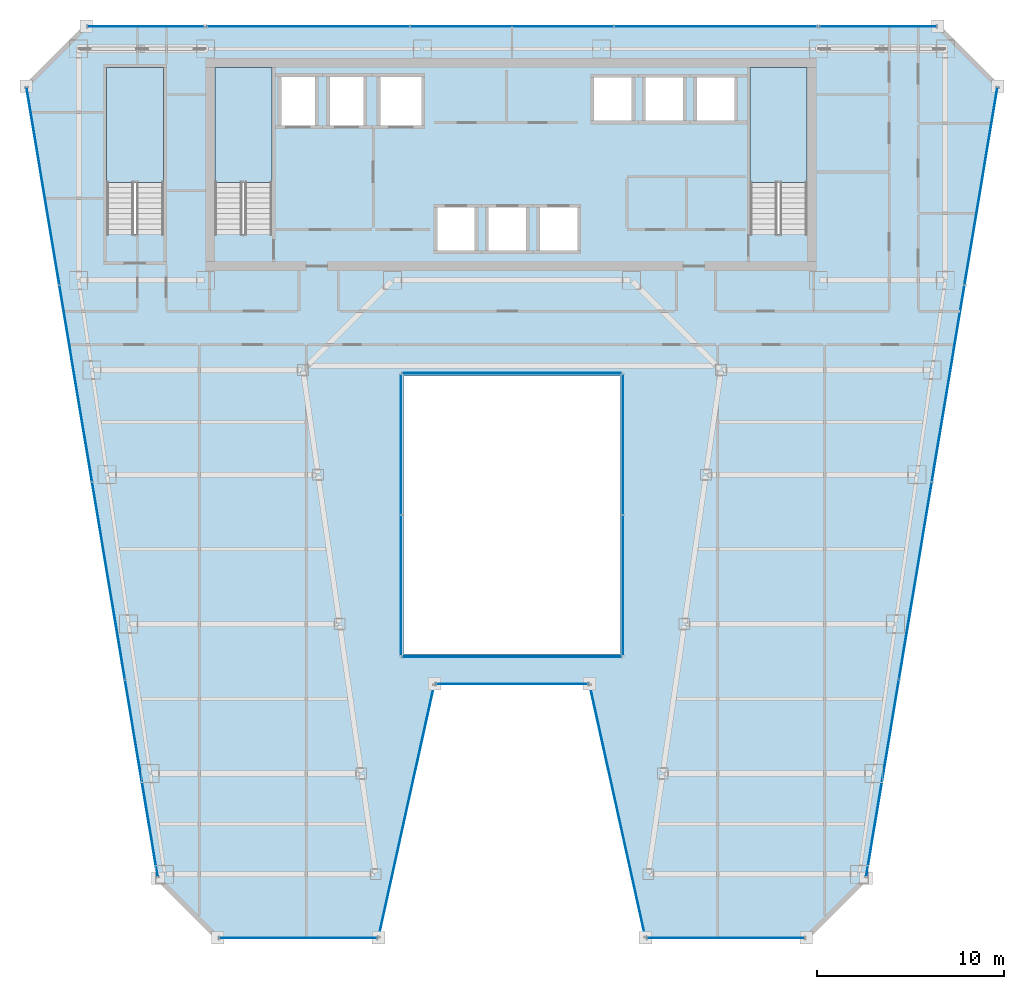
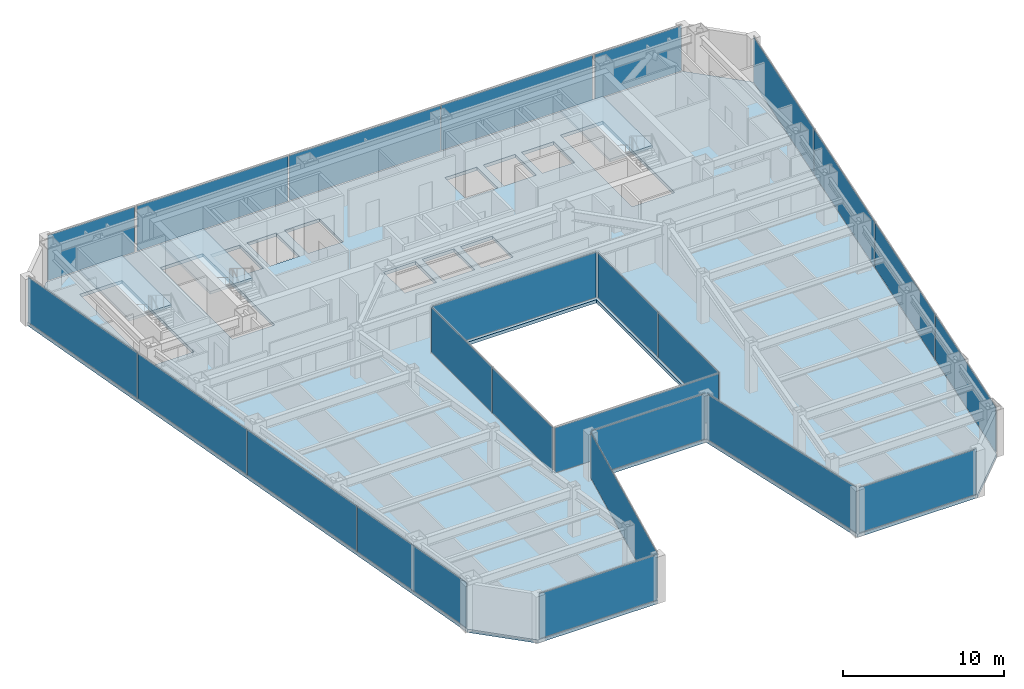
# One storey, part 30 of 38: 24 plates, 4 slabs, 17 elements without a shape of their own.
"""IFC4 building model written with IfcOpenShell, lengths in metres."""

from ifc_helpers import new_model, si_unit, direction, frame, origin, origin_2d, place, context, subcontext, project, spatial, polyline, rectangle, outline, extrude, material, layer, layer_set, type_object, element, aggregate, save


model = new_model("IFC4")

# Units and contexts
model_context = context("Model", 3, precision=1e-05, world=origin(), true_north=direction((0.0, 1.0)))
body_context = subcontext(model_context, "Body", "Model", "MODEL_VIEW")
ifc_project = project(units=[si_unit("LENGTHUNIT", "METRE"), si_unit("AREAUNIT", "SQUARE_METRE"), si_unit("VOLUMEUNIT", "CUBIC_METRE"), si_unit("PLANEANGLEUNIT", "RADIAN"), si_unit("MASSUNIT", "GRAM", prefix="KILO")], contexts=[model_context])

# Site, building, storey
site_placement = place(None, origin())
site = spatial("IfcSite", under=ifc_project, at=site_placement, CompositionType="ELEMENT")
building_placement = place(site_placement, origin())
building = spatial("IfcBuilding", under=site, at=building_placement, Name="Saevonmaru Cultural Tower", CompositionType="ELEMENT")
storey_placement = place(building_placement, frame((0.0, 0.0, 133.39990234375)))
storey = spatial("IfcBuildingStorey", under=building, at=storey_placement, Name="L28", CompositionType="ELEMENT", Elevation=133.39990234375)

# Curtain wall, plate
ifc_material_1 = material(Name="Satin Bronze Anodised Aluminium", Category="aluminium")
curtain_wall_type_1 = type_object("IfcCurtainWallType", Name="CW-ATR-GLZ", PredefinedType="NOTDEFINED", material=ifc_material_1)
curtain_wall_1_placement = place(storey_placement, origin())
curtain_wall_1 = element("IfcCurtainWall", 1, at=curtain_wall_1_placement, inside=storey, type_object=curtain_wall_type_1, Name="L28 Vertical Atrium Glazed Smoke Screen 1", PredefinedType="NOTDEFINED")
ifc_material_2 = material(Name="Fire-Rated Laminated Atrium Glass", Category="glass")
ifc_layer_1 = layer(ifc_material_2, 0.031982421875, Name="Fire-Rated Laminated Atrium Glass")
ifc_layer_set_1 = layer_set([ifc_layer_1], Name="Fire-Rated Laminated Atrium Glass")
plate_type_1 = type_object("IfcPlateType", Name="PN-GLZ-ATR-INT", PredefinedType="CURTAIN_PANEL", material=ifc_layer_set_1)
plate_1_placement = place(storey_placement, frame((30.0, 22.25, 0.067138671875), z_axis=(0.0, 0.0, 1.0), x_axis=(1.0, 0.0, 0.0)))
plate_1 = element("IfcPlate", 2, at=plate_1_placement, type_object=plate_type_1, Name="CW-ATR-L28-1 panel 1.1", PredefinedType="CURTAIN_PANEL", context=body_context, shape_type="SweptSolid", body=[
    extrude(rectangle(XDim=11.7109375, YDim=0.031982421875, at=origin_2d()), origin(), (0.0, 0.0, 1.0), 3.416015625),
])
aggregate(curtain_wall_1, [plate_1])

# Curtain wall, plates
curtain_wall_2_placement = place(storey_placement, origin())
curtain_wall_2 = element("IfcCurtainWall", 3, at=curtain_wall_2_placement, inside=storey, type_object=curtain_wall_type_1, Name="L28 Vertical Atrium Glazed Smoke Screen 2", PredefinedType="NOTDEFINED")
plate_2_placement = place(storey_placement, frame((35.949951171875, 26.074951171875, 0.067138671875), z_axis=(0.0, 0.0, 1.0), x_axis=(0.0, 1.0, 0.0)))
plate_2 = element("IfcPlate", 4, at=plate_2_placement, type_object=plate_type_1, Name="CW-ATR-L28-2 panel 1.1", PredefinedType="CURTAIN_PANEL", context=body_context, shape_type="SweptSolid", body=[
    extrude(rectangle(XDim=7.4609375, YDim=0.031982421875, at=origin_2d()), origin(), (0.0, 0.0, 1.0), 3.416015625),
])
plate_3_placement = place(storey_placement, frame((35.949951171875, 33.60498046875, 0.067138671875), z_axis=(0.0, 0.0, 1.0), x_axis=(0.0, 1.0, 0.0)))
plate_3 = element("IfcPlate", 5, at=plate_3_placement, type_object=plate_type_1, Name="CW-ATR-L28-2 panel 2.1", PredefinedType="CURTAIN_PANEL", context=body_context, shape_type="SweptSolid", body=[
    extrude(rectangle(XDim=7.4609375, YDim=0.031982421875, at=origin_2d()), origin(), (0.0, 0.0, 1.0), 3.416015625),
])
aggregate(curtain_wall_2, [plate_2, plate_3])

# Curtain wall, plate
curtain_wall_3_placement = place(storey_placement, origin())
curtain_wall_3 = element("IfcCurtainWall", 6, at=curtain_wall_3_placement, inside=storey, type_object=curtain_wall_type_1, Name="L28 Vertical Atrium Glazed Smoke Screen 3", PredefinedType="NOTDEFINED")
plate_4_placement = place(storey_placement, frame((30.0, 37.429931640625, 0.067138671875), z_axis=(0.0, 0.0, 1.0), x_axis=(-1.0, 0.0, 0.0)))
plate_4 = element("IfcPlate", 7, at=plate_4_placement, type_object=plate_type_1, Name="CW-ATR-L28-3 panel 1.1", PredefinedType="CURTAIN_PANEL", context=body_context, shape_type="SweptSolid", body=[
    extrude(rectangle(XDim=11.7109375, YDim=0.031982421875, at=origin_2d()), origin(), (0.0, 0.0, 1.0), 3.416015625),
])
aggregate(curtain_wall_3, [plate_4])

# Curtain wall, plates
curtain_wall_4_placement = place(storey_placement, origin())
curtain_wall_4 = element("IfcCurtainWall", 8, at=curtain_wall_4_placement, inside=storey, type_object=curtain_wall_type_1, Name="L28 Vertical Atrium Glazed Smoke Screen 4", PredefinedType="NOTDEFINED")
plate_5_placement = place(storey_placement, frame((24.050048828125, 33.60498046875, 0.067138671875), z_axis=(0.0, 0.0, 1.0), x_axis=(0.0, -1.0, 0.0)))
plate_5 = element("IfcPlate", 9, at=plate_5_placement, type_object=plate_type_1, Name="CW-ATR-L28-4 panel 1.1", PredefinedType="CURTAIN_PANEL", context=body_context, shape_type="SweptSolid", body=[
    extrude(rectangle(XDim=7.4609375, YDim=0.031982421875, at=origin_2d()), origin(), (0.0, 0.0, 1.0), 3.416015625),
])
plate_6_placement = place(storey_placement, frame((24.050048828125, 26.074951171875, 0.067138671875), z_axis=(0.0, 0.0, 1.0), x_axis=(0.0, -1.0, 0.0)))
plate_6 = element("IfcPlate", 10, at=plate_6_placement, type_object=plate_type_1, Name="CW-ATR-L28-4 panel 2.1", PredefinedType="CURTAIN_PANEL", context=body_context, shape_type="SweptSolid", body=[
    extrude(rectangle(XDim=7.4609375, YDim=0.031982421875, at=origin_2d()), origin(), (0.0, 0.0, 1.0), 3.416015625),
])
aggregate(curtain_wall_4, [plate_5, plate_6])

# Curtain wall, plate
curtain_wall_type_2 = type_object("IfcCurtainWallType", Name="CW-TYP-A", PredefinedType="NOTDEFINED", material=ifc_material_1)
curtain_wall_5_placement = place(storey_placement, origin())
curtain_wall_5 = element("IfcCurtainWall", 11, at=curtain_wall_5_placement, inside=storey, type_object=curtain_wall_type_2, Name="L28 Unitised Curtain Wall E2", PredefinedType="NOTDEFINED")
ifc_material_3 = material(Name="Triple Silver Low-E Insulating Glass", Category="glass")
ifc_layer_2 = layer(ifc_material_3, 0.035888671875, Name="Triple Silver Low-E Insulating Glass")
ifc_layer_set_2 = layer_set([ifc_layer_2], Name="Triple Silver Low-E Insulating Glass")
plate_type_2 = type_object("IfcPlateType", Name="PN-GLZ-IGU", PredefinedType="CURTAIN_PANEL", material=ifc_layer_set_2)
plate_7_placement = place(storey_placement, frame((18.548828125, 7.199951171875, 0.067138671875), z_axis=(0.0, 0.0, 1.0), x_axis=(1.0, 0.0, 0.0)))
plate_7 = element("IfcPlate", 12, at=plate_7_placement, type_object=plate_type_2, Name="CW-TW-L28-E2 panel 1.1", PredefinedType="CURTAIN_PANEL", context=body_context, shape_type="SweptSolid", body=[
    extrude(rectangle(XDim=8.410888671875, YDim=0.035888671875, at=origin_2d()), origin(), (0.0, 0.0, 1.0), 3.416015625),
])
aggregate(curtain_wall_5, [plate_7])

curtain_wall_6_placement = place(storey_placement, origin())
curtain_wall_6 = element("IfcCurtainWall", 13, at=curtain_wall_6_placement, inside=storey, type_object=curtain_wall_type_2, Name="L28 Unitised Curtain Wall E3", PredefinedType="NOTDEFINED")
plate_8_placement = place(storey_placement, frame((24.348876953125, 14.0, 0.067138671875), z_axis=(0.0, 0.0, 1.0), x_axis=(0.215413319953, 0.976522965212, 0.0)))
plate_8 = element("IfcPlate", 14, at=plate_8_placement, type_object=plate_type_2, Name="CW-TW-L28-E3 panel 1.1", PredefinedType="CURTAIN_PANEL", context=body_context, shape_type="SweptSolid", body=[
    extrude(rectangle(XDim=13.738037109375, YDim=0.035888671875, at=origin_2d()), origin(), (0.0, 0.0, 1.0), 3.416015625),
])
aggregate(curtain_wall_6, [plate_8])

curtain_wall_7_placement = place(storey_placement, origin())
curtain_wall_7 = element("IfcCurtainWall", 15, at=curtain_wall_7_placement, inside=storey, type_object=curtain_wall_type_2, Name="L28 Unitised Curtain Wall E4", PredefinedType="NOTDEFINED")
plate_9_placement = place(storey_placement, frame((30.0, 20.800048828125, 0.067138671875), z_axis=(0.0, 0.0, 1.0), x_axis=(1.0, 0.0, 0.0)))
plate_9 = element("IfcPlate", 16, at=plate_9_placement, type_object=plate_type_2, Name="CW-TW-L28-E4 panel 1.1", PredefinedType="CURTAIN_PANEL", context=body_context, shape_type="SweptSolid", body=[
    extrude(rectangle(XDim=8.11328125, YDim=0.035888671875, at=origin_2d()), origin(), (0.0, 0.0, 1.0), 3.416015625),
])
aggregate(curtain_wall_7, [plate_9])

curtain_wall_8_placement = place(storey_placement, origin())
curtain_wall_8 = element("IfcCurtainWall", 17, at=curtain_wall_8_placement, inside=storey, type_object=curtain_wall_type_2, Name="L28 Unitised Curtain Wall E5", PredefinedType="NOTDEFINED")
plate_10_placement = place(storey_placement, frame((35.651123046875, 14.0, 0.067138671875), z_axis=(0.0, 0.0, 1.0), x_axis=(0.215413319953, -0.976522965212, 0.0)))
plate_10 = element("IfcPlate", 18, at=plate_10_placement, type_object=plate_type_2, Name="CW-TW-L28-E5 panel 1.1", PredefinedType="CURTAIN_PANEL", context=body_context, shape_type="SweptSolid", body=[
    extrude(rectangle(XDim=13.738037109375, YDim=0.035888671875, at=origin_2d()), origin(), (0.0, 0.0, 1.0), 3.416015625),
])
aggregate(curtain_wall_8, [plate_10])

curtain_wall_9_placement = place(storey_placement, origin())
curtain_wall_9 = element("IfcCurtainWall", 19, at=curtain_wall_9_placement, inside=storey, type_object=curtain_wall_type_2, Name="L28 Unitised Curtain Wall E6", PredefinedType="NOTDEFINED")
plate_11_placement = place(storey_placement, frame((41.451171875, 7.199951171875, 0.067138671875), z_axis=(0.0, 0.0, 1.0), x_axis=(1.0, 0.0, 0.0)))
plate_11 = element("IfcPlate", 20, at=plate_11_placement, type_object=plate_type_2, Name="CW-TW-L28-E6 panel 1.1", PredefinedType="CURTAIN_PANEL", context=body_context, shape_type="SweptSolid", body=[
    extrude(rectangle(XDim=8.410888671875, YDim=0.035888671875, at=origin_2d()), origin(), (0.0, 0.0, 1.0), 3.416015625),
])
aggregate(curtain_wall_9, [plate_11])

# Curtain wall, plates
curtain_wall_10_placement = place(storey_placement, origin())
curtain_wall_10 = element("IfcCurtainWall", 21, at=curtain_wall_10_placement, inside=storey, type_object=curtain_wall_type_2, Name="L28 Unitised Curtain Wall E8", PredefinedType="NOTDEFINED")
plate_12_placement = place(storey_placement, frame((49.839599609375, 15.744384765625, 0.067138671875), z_axis=(0.0, 0.0, 1.0), x_axis=(0.163998702345, 0.986460554523, 0.0)))
plate_12 = element("IfcPlate", 22, at=plate_12_placement, type_object=plate_type_2, Name="CW-TW-L28-E8 panel 1.1", PredefinedType="CURTAIN_PANEL", context=body_context, shape_type="SweptSolid", body=[
    extrude(rectangle(XDim=10.646484375, YDim=0.035888671875, at=origin_2d()), origin(), (0.0, 0.0, 1.0), 3.416015625),
])
plate_13_placement = place(storey_placement, frame((51.596923828125, 26.314697265625, 0.067138671875), z_axis=(0.0, 0.0, 1.0), x_axis=(0.163998702345, 0.986460554523, 0.0)))
plate_13 = element("IfcPlate", 23, at=plate_13_placement, type_object=plate_type_2, Name="CW-TW-L28-E8 panel 2.1", PredefinedType="CURTAIN_PANEL", context=body_context, shape_type="SweptSolid", body=[
    extrude(rectangle(XDim=10.646484375, YDim=0.035888671875, at=origin_2d()), origin(), (0.0, 0.0, 1.0), 3.416015625),
])
plate_14_placement = place(storey_placement, frame((53.354248046875, 36.88525390625, 0.067138671875), z_axis=(0.0, 0.0, 1.0), x_axis=(0.163998702345, 0.986460554523, 0.0)))
plate_14 = element("IfcPlate", 24, at=plate_14_placement, type_object=plate_type_2, Name="CW-TW-L28-E8 panel 3.1", PredefinedType="CURTAIN_PANEL", context=body_context, shape_type="SweptSolid", body=[
    extrude(rectangle(XDim=10.646484375, YDim=0.035888671875, at=origin_2d()), origin(), (0.0, 0.0, 1.0), 3.416015625),
])
plate_15_placement = place(storey_placement, frame((55.111572265625, 47.45556640625, 0.067138671875), z_axis=(0.0, 0.0, 1.0), x_axis=(0.163998702345, 0.986460554523, 0.0)))
plate_15 = element("IfcPlate", 25, at=plate_15_placement, type_object=plate_type_2, Name="CW-TW-L28-E8 panel 4.1", PredefinedType="CURTAIN_PANEL", context=body_context, shape_type="SweptSolid", body=[
    extrude(rectangle(XDim=10.646484375, YDim=0.035888671875, at=origin_2d()), origin(), (0.0, 0.0, 1.0), 3.416015625),
])
aggregate(curtain_wall_10, [plate_12, plate_13, plate_14, plate_15])

curtain_wall_11_placement = place(storey_placement, origin())
curtain_wall_11 = element("IfcCurtainWall", 26, at=curtain_wall_11_placement, inside=storey, type_object=curtain_wall_type_2, Name="L28 North Spine Unitised Curtain Wall E10B", PredefinedType="NOTDEFINED")
plate_16_placement = place(storey_placement, frame((40.893310546875, 56.0, 0.067138671875), z_axis=(0.0, 0.0, 1.0), x_axis=(-1.0, 0.0, 0.0)))
plate_16 = element("IfcPlate", 27, at=plate_16_placement, type_object=plate_type_2, Name="CW-TW-L28-E10B panel 1.1", PredefinedType="CURTAIN_PANEL", context=body_context, shape_type="SweptSolid", body=[
    extrude(rectangle(XDim=10.82421875, YDim=0.035888671875, at=origin_2d()), origin(), (0.0, 0.0, 1.0), 3.416015625),
])
plate_17_placement = place(storey_placement, frame((30.0, 56.0, 0.067138671875), z_axis=(0.0, 0.0, 1.0), x_axis=(-1.0, 0.0, 0.0)))
plate_17 = element("IfcPlate", 28, at=plate_17_placement, type_object=plate_type_2, Name="CW-TW-L28-E10B panel 2.1", PredefinedType="CURTAIN_PANEL", context=body_context, shape_type="SweptSolid", body=[
    extrude(rectangle(XDim=10.82421875, YDim=0.035888671875, at=origin_2d()), origin(), (0.0, 0.0, 1.0), 3.416015625),
])
plate_18_placement = place(storey_placement, frame((19.106689453125, 56.0, 0.067138671875), z_axis=(0.0, 0.0, 1.0), x_axis=(-1.0, 0.0, 0.0)))
plate_18 = element("IfcPlate", 29, at=plate_18_placement, type_object=plate_type_2, Name="CW-TW-L28-E10B panel 3.1", PredefinedType="CURTAIN_PANEL", context=body_context, shape_type="SweptSolid", body=[
    extrude(rectangle(XDim=10.82421875, YDim=0.035888671875, at=origin_2d()), origin(), (0.0, 0.0, 1.0), 3.416015625),
])
aggregate(curtain_wall_11, [plate_16, plate_17, plate_18])

curtain_wall_12_placement = place(storey_placement, origin())
curtain_wall_12 = element("IfcCurtainWall", 30, at=curtain_wall_12_placement, inside=storey, type_object=curtain_wall_type_2, Name="L28 Unitised Curtain Wall E12", PredefinedType="NOTDEFINED")
plate_19_placement = place(storey_placement, frame((4.888427734375, 47.45556640625, 0.067138671875), z_axis=(0.0, 0.0, 1.0), x_axis=(0.163998702345, -0.986460554523, 0.0)))
plate_19 = element("IfcPlate", 31, at=plate_19_placement, type_object=plate_type_2, Name="CW-TW-L28-E12 panel 1.1", PredefinedType="CURTAIN_PANEL", context=body_context, shape_type="SweptSolid", body=[
    extrude(rectangle(XDim=10.646484375, YDim=0.035888671875, at=origin_2d()), origin(), (0.0, 0.0, 1.0), 3.416015625),
])
plate_20_placement = place(storey_placement, frame((6.645751953125, 36.88525390625, 0.067138671875), z_axis=(0.0, 0.0, 1.0), x_axis=(0.163998702345, -0.986460554523, 0.0)))
plate_20 = element("IfcPlate", 32, at=plate_20_placement, type_object=plate_type_2, Name="CW-TW-L28-E12 panel 2.1", PredefinedType="CURTAIN_PANEL", context=body_context, shape_type="SweptSolid", body=[
    extrude(rectangle(XDim=10.646484375, YDim=0.035888671875, at=origin_2d()), origin(), (0.0, 0.0, 1.0), 3.416015625),
])
plate_21_placement = place(storey_placement, frame((8.403076171875, 26.314697265625, 0.067138671875), z_axis=(0.0, 0.0, 1.0), x_axis=(0.163998702345, -0.986460554523, 0.0)))
plate_21 = element("IfcPlate", 33, at=plate_21_placement, type_object=plate_type_2, Name="CW-TW-L28-E12 panel 3.1", PredefinedType="CURTAIN_PANEL", context=body_context, shape_type="SweptSolid", body=[
    extrude(rectangle(XDim=10.646484375, YDim=0.035888671875, at=origin_2d()), origin(), (0.0, 0.0, 1.0), 3.416015625),
])
plate_22_placement = place(storey_placement, frame((10.160400390625, 15.744384765625, 0.067138671875), z_axis=(0.0, 0.0, 1.0), x_axis=(0.163998702345, -0.986460554523, 0.0)))
plate_22 = element("IfcPlate", 34, at=plate_22_placement, type_object=plate_type_2, Name="CW-TW-L28-E12 panel 4.1", PredefinedType="CURTAIN_PANEL", context=body_context, shape_type="SweptSolid", body=[
    extrude(rectangle(XDim=10.646484375, YDim=0.035888671875, at=origin_2d()), origin(), (0.0, 0.0, 1.0), 3.416015625),
])
aggregate(curtain_wall_12, [plate_19, plate_20, plate_21, plate_22])

# Curtain wall, plate
curtain_wall_13_placement = place(storey_placement, origin())
curtain_wall_13 = element("IfcCurtainWall", 35, at=curtain_wall_13_placement, inside=storey, type_object=curtain_wall_type_2, Name="L28 East Braced Bay Spandrel Curtain Wall E10A", PredefinedType="NOTDEFINED")
ifc_material_4 = material(Name="Insulated Satin Bronze Aluminium Spandrel Panel", Category="aluminium")
ifc_layer_3 = layer(ifc_material_4, 0.0400390625, Name="Insulated Satin Bronze Aluminium Spandrel Panel")
ifc_layer_set_3 = layer_set([ifc_layer_3], Name="Insulated Satin Bronze Aluminium Spandrel Panel")
plate_type_3 = type_object("IfcPlateType", Name="PN-SPANDREL-BRONZE", PredefinedType="CURTAIN_PANEL", material=ifc_layer_set_3)
plate_23_placement = place(storey_placement, frame((49.60009765625, 56.0, 0.067138671875), z_axis=(0.0, 0.0, 1.0), x_axis=(-1.0, 0.0, 0.0)))
plate_23 = element("IfcPlate", 36, at=plate_23_placement, type_object=plate_type_3, Name="CW-TW-L28-E10A panel 1.1", PredefinedType="CURTAIN_PANEL", context=body_context, shape_type="SweptSolid", body=[
    extrude(rectangle(XDim=6.2109375, YDim=0.035888671875, at=origin_2d()), origin(), (0.0, 0.0, 1.0), 3.416015625),
])
aggregate(curtain_wall_13, [plate_23])

curtain_wall_14_placement = place(storey_placement, origin())
curtain_wall_14 = element("IfcCurtainWall", 37, at=curtain_wall_14_placement, inside=storey, type_object=curtain_wall_type_2, Name="L28 West Braced Bay Spandrel Curtain Wall E10C", PredefinedType="NOTDEFINED")
plate_24_placement = place(storey_placement, frame((10.39990234375, 56.0, 0.067138671875), z_axis=(0.0, 0.0, 1.0), x_axis=(-1.0, 0.0, 0.0)))
plate_24 = element("IfcPlate", 38, at=plate_24_placement, type_object=plate_type_3, Name="CW-TW-L28-E10C panel 1.1", PredefinedType="CURTAIN_PANEL", context=body_context, shape_type="SweptSolid", body=[
    extrude(rectangle(XDim=6.2109375, YDim=0.035888671875, at=origin_2d()), origin(), (0.0, 0.0, 1.0), 3.416015625),
])
aggregate(curtain_wall_14, [plate_24])

# Slab
ifc_material_5 = material(Name="Concrete C40/50", Category="concrete")
ifc_layer_4 = layer(ifc_material_5, 0.25, Name="Concrete C40/50")
ifc_layer_set_4 = layer_set([ifc_layer_4], Name="Concrete C40/50")
slab_type_1 = type_object("IfcSlabType", Name="SL-FLR-250", PredefinedType="FLOOR", material=ifc_layer_set_4)
slab_1_placement = place(storey_placement, frame((0.0, 0.0, -0.25)))
element("IfcSlab", 39, at=slab_1_placement, inside=storey, type_object=slab_type_1, Name="L28 Tower Structural Floor Slab", PredefinedType="FLOOR", context=body_context, shape_type="SweptSolid", body=[
    extrude(outline(polyline([(11.048828125, 10.39990234375), (14.248779296875, 7.199951171875), (22.848876953125, 7.199951171875), (25.848876953125, 20.800048828125), (34.151123046875, 20.800048828125), (37.151123046875, 7.199951171875), (45.751220703125, 7.199951171875), (48.951171875, 10.39990234375), (56.0, 52.800048828125), (52.800048828125, 56.0), (7.199951171875, 56.0), (4.0, 52.800048828125), (11.048828125, 10.39990234375)]), holes=[polyline([(45.800048828125, 44.875), (42.75, 44.875), (42.75, 53.800048828125), (45.800048828125, 53.800048828125), (45.800048828125, 44.875)]), polyline([(39.75, 50.800048828125), (39.75, 53.39990234375), (42.050048828125, 53.39990234375), (42.050048828125, 50.800048828125), (39.75, 50.800048828125)]), polyline([(37.0, 50.800048828125), (37.0, 53.39990234375), (39.300048828125, 53.39990234375), (39.300048828125, 50.800048828125), (37.0, 50.800048828125)]), polyline([(34.25, 50.800048828125), (34.25, 53.39990234375), (36.550048828125, 53.39990234375), (36.550048828125, 50.800048828125), (34.25, 50.800048828125)]), polyline([(24.199951171875, 22.39990234375), (24.199951171875, 37.280029296875), (35.800048828125, 37.280029296875), (35.800048828125, 22.39990234375), (24.199951171875, 22.39990234375)]), polyline([(31.35009765625, 43.85009765625), (31.35009765625, 46.449951171875), (33.64990234375, 46.449951171875), (33.64990234375, 43.85009765625), (31.35009765625, 43.85009765625)]), polyline([(28.60009765625, 43.85009765625), (28.60009765625, 46.449951171875), (30.89990234375, 46.449951171875), (30.89990234375, 43.85009765625), (28.60009765625, 43.85009765625)]), polyline([(28.14990234375, 43.85009765625), (25.85009765625, 43.85009765625), (25.85009765625, 46.449951171875), (28.14990234375, 46.449951171875), (28.14990234375, 43.85009765625)]), polyline([(25.300048828125, 50.550048828125), (22.800048828125, 50.550048828125), (22.800048828125, 53.449951171875), (25.300048828125, 53.449951171875), (25.300048828125, 50.550048828125)]), polyline([(20.10009765625, 50.550048828125), (20.10009765625, 53.449951171875), (22.199951171875, 53.449951171875), (22.199951171875, 50.550048828125), (20.10009765625, 50.550048828125)]), polyline([(17.5, 50.550048828125), (17.5, 53.449951171875), (19.60009765625, 53.449951171875), (19.60009765625, 50.550048828125), (17.5, 50.550048828125)]), polyline([(17.14990234375, 53.800048828125), (17.14990234375, 44.875), (14.10009765625, 44.875), (14.10009765625, 53.800048828125), (17.14990234375, 53.800048828125)]), polyline([(11.35009765625, 44.875), (8.300048828125, 44.875), (8.300048828125, 53.800048828125), (11.35009765625, 53.800048828125), (11.35009765625, 44.875)])]), origin(), (0.0, 0.0, 1.0), 0.25),
])

# Stair, slab
stair_type = type_object("IfcStairType", Name="STR-DOGLEG-RC", PredefinedType="HALF_TURN_STAIR", material=ifc_material_5)
stair_1_placement = place(storey_placement, origin())
stair_1 = element("IfcStair", 40, at=stair_1_placement, inside=storey, type_object=stair_type, Name="L28 Protected exit stair ST-1", PredefinedType="HALF_TURN_STAIR")
ifc_layer_5 = layer(ifc_material_5, 0.199951171875, Name="Concrete C40/50")
ifc_layer_set_5 = layer_set([ifc_layer_5], Name="Concrete C40/50")
slab_type_2 = type_object("IfcSlabType", Name="SL-STAIR-LANDING", PredefinedType="LANDING", material=ifc_layer_set_5)
slab_2_placement = place(storey_placement, frame((0.0, 0.0, 1.7001953125)))
slab_2 = element("IfcSlab", 41, at=slab_2_placement, type_object=slab_type_2, Name="ST-1-L28 landing 1", PredefinedType="LANDING", context=body_context, shape_type="SweptSolid", body=[
    extrude(outline(polyline([(17.14990234375, 47.64990234375), (17.14990234375, 53.800048828125), (14.10009765625, 53.800048828125), (14.10009765625, 47.64990234375), (17.14990234375, 47.64990234375)])), origin(), (0.0, 0.0, 1.0), 0.199951171875),
])
aggregate(stair_1, [slab_2])

stair_2_placement = place(storey_placement, origin())
stair_2 = element("IfcStair", 42, at=stair_2_placement, inside=storey, type_object=stair_type, Name="L28 Protected exit stair ST-2", PredefinedType="HALF_TURN_STAIR")
slab_3_placement = place(storey_placement, frame((0.0, 0.0, 1.7001953125)))
slab_3 = element("IfcSlab", 43, at=slab_3_placement, type_object=slab_type_2, Name="ST-2-L28 landing 1", PredefinedType="LANDING", context=body_context, shape_type="SweptSolid", body=[
    extrude(outline(polyline([(45.800048828125, 47.64990234375), (45.800048828125, 53.800048828125), (42.75, 53.800048828125), (42.75, 47.64990234375), (45.800048828125, 47.64990234375)])), origin(), (0.0, 0.0, 1.0), 0.199951171875),
])
aggregate(stair_2, [slab_3])

stair_3_placement = place(storey_placement, origin())
stair_3 = element("IfcStair", 44, at=stair_3_placement, inside=storey, type_object=stair_type, Name="L28 Protected exit stair ST-3", PredefinedType="HALF_TURN_STAIR")
slab_4_placement = place(storey_placement, frame((0.0, 0.0, 1.7001953125)))
slab_4 = element("IfcSlab", 45, at=slab_4_placement, type_object=slab_type_2, Name="ST-3-L28 landing 1", PredefinedType="LANDING", context=body_context, shape_type="SweptSolid", body=[
    extrude(outline(polyline([(11.35009765625, 47.64990234375), (11.35009765625, 53.800048828125), (8.300048828125, 53.800048828125), (8.300048828125, 47.64990234375), (11.35009765625, 47.64990234375)])), origin(), (0.0, 0.0, 1.0), 0.199951171875),
])
aggregate(stair_3, [slab_4])

save(model, "model.ifc")
